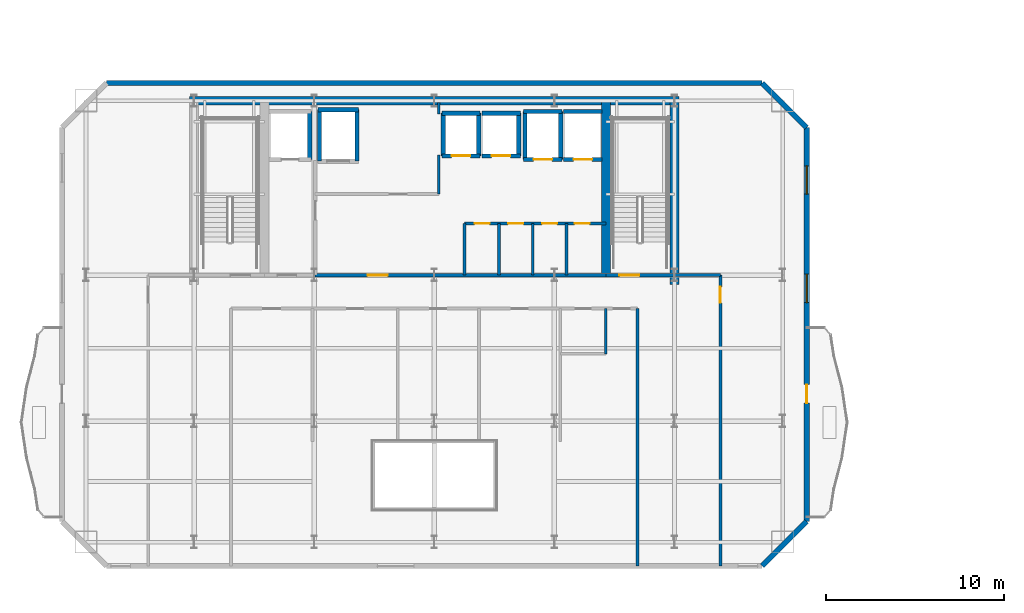
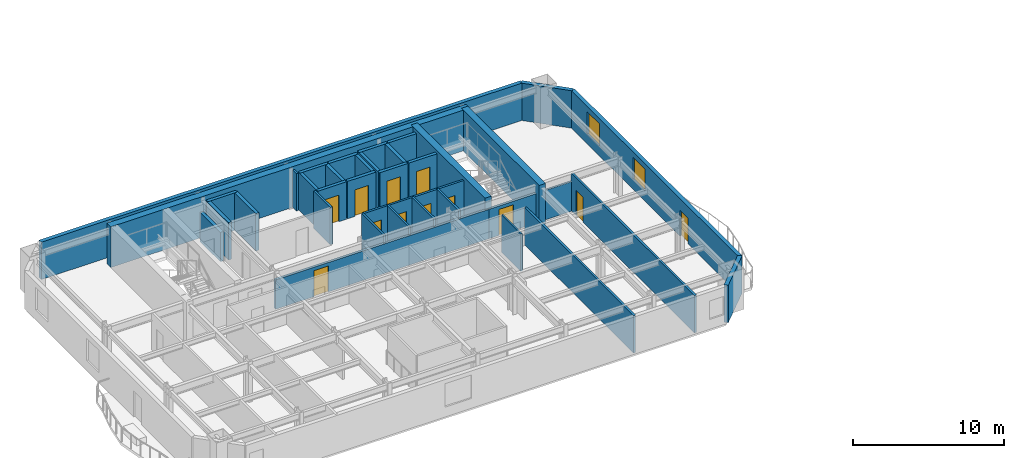
# One storey, part 6 of 14: 37 walls, 12 doors, 2 windows, 14 openings.
"""IFC4 building model written with IfcOpenShell, lengths in metres."""

from ifc_helpers import new_model, si_unit, direction, frame, frame_2d, origin, place, context, subcontext, project, spatial, rectangle, extrude, material, layer, layer_set, type_object, element, fill, save


model = new_model("IFC4")

# Units and contexts
model_context = context("Model", 3, precision=1e-05, world=origin(), true_north=direction((0.0, 1.0)))
body_context = subcontext(model_context, "Body", "Model", "MODEL_VIEW")
ifc_project = project(units=[si_unit("LENGTHUNIT", "METRE"), si_unit("AREAUNIT", "SQUARE_METRE"), si_unit("VOLUMEUNIT", "CUBIC_METRE"), si_unit("PLANEANGLEUNIT", "RADIAN"), si_unit("MASSUNIT", "GRAM", prefix="KILO")], contexts=[model_context])

# Site, building, storey
site_placement = place(None, origin())
site = spatial("IfcSite", under=ifc_project, at=site_placement, CompositionType="ELEMENT")
building_placement = place(site_placement, origin())
building = spatial("IfcBuilding", under=site, at=building_placement, Name="Haevon Station Towers", CompositionType="ELEMENT")
storey_placement = place(building_placement, frame((0.0, 0.0, 169.199951171875)))
storey = spatial("IfcBuildingStorey", under=building, at=storey_placement, Name="L46", CompositionType="ELEMENT", Elevation=169.199951171875)

# Wall, opening, door
ifc_material_1 = material(Name="Gypsum board on steel stud", Category="steel")
ifc_layer_1 = layer(ifc_material_1, 0.199951171875)
ifc_layer_set_1 = layer_set([ifc_layer_1], Name="Gypsum board on steel stud")
wall_type_1 = type_object("IfcWallType", Name="WL-COR200", PredefinedType="PARTITIONING", material=ifc_layer_set_1)
wall_1_placement = place(storey_placement, frame((47.14990234375, 38.199951171875, 0.0), z_axis=(0.0, 0.0, 1.0), x_axis=(1.0, 0.0, 0.0)))
wall_1 = element("IfcWall", 1, at=wall_1_placement, inside=storey, type_object=wall_type_1, Name="WL-ST-ST2-L46", PredefinedType="PARTITIONING", context=body_context, shape_type="SweptSolid", body=[
    extrude(rectangle(XDim=3.85009765625, YDim=0.199951171875, at=frame_2d((1.925048828125, 0.0))), origin(), (0.0, 0.0, 1.0), 2.380126953125),
])
opening_1_placement = place(wall_1_placement, frame((0.75, 0.0, 0.0)))
opening_1 = element("IfcOpeningElement", 2, at=opening_1_placement, cuts=wall_1, Name="Opening DR-ST-ST2-L46", PredefinedType="OPENING", context=body_context, shape_type="SweptSolid", body=[
    extrude(rectangle(XDim=1.1201171875, YDim=2.10009765625, at=frame_2d((0.56005859375, 1.050048828125))), frame((0.0, 0.10986328125, 0.0), z_axis=(0.0, -1.0, 0.0), x_axis=(1.0, 0.0, 0.0)), (0.0, 0.0, 1.0), 0.219970703125),
])
ifc_material_2 = material(Name="Engineered oak timber", Category="wood")
door_type_1 = type_object("IfcDoorType", Name="DR-ST-1120", OperationType="NOTDEFINED", PredefinedType="DOOR", material=ifc_material_2)
door_1_placement = place(opening_1_placement, origin())
door_1 = element("IfcDoor", 3, at=door_1_placement, inside=storey, type_object=door_type_1, Name="L46 Escape Stair ST2 Fire Door", OperationType="SINGLE_SWING_LEFT", OverallHeight=2.10009765625, OverallWidth=1.1201171875, PredefinedType="DOOR", context=body_context, shape_type="SweptSolid", body=[
    extrude(rectangle(XDim=1.1201171875, YDim=2.10009765625, at=frame_2d((0.56005859375, 1.050048828125))), frame((0.0, 0.02490234375, 0.0), z_axis=(0.0, -1.0, 0.0), x_axis=(1.0, 0.0, 0.0)), (0.0, 0.0, 1.0), 0.050048828125),
])
fill(opening_1, door_1)

wall_2_placement = place(storey_placement, frame((30.800048828125, 38.199951171875, 0.0), z_axis=(0.0, 0.0, 1.0), x_axis=(1.0, 0.0, 0.0)))
wall_2 = element("IfcWall", 4, at=wall_2_placement, inside=storey, type_object=wall_type_1, Name="WL-T1CLB-L46", PredefinedType="PARTITIONING", context=body_context, shape_type="SweptSolid", body=[
    extrude(rectangle(XDim=16.349853515625, YDim=0.199951171875, at=frame_2d((8.1748046875, 0.0))), origin(), (0.0, 0.0, 1.0), 2.380126953125),
])
opening_2_placement = place(wall_2_placement, frame((2.949951171875, 0.0, 0.0)))
opening_2 = element("IfcOpeningElement", 5, at=opening_2_placement, cuts=wall_2, Name="Opening DR-T1CLB-L46-1", PredefinedType="OPENING", context=body_context, shape_type="SweptSolid", body=[
    extrude(rectangle(XDim=1.1201171875, YDim=2.10009765625, at=frame_2d((0.56005859375, 1.050048828125))), frame((0.0, 0.10986328125, 0.0), z_axis=(0.0, -1.0, 0.0), x_axis=(1.0, 0.0, 0.0)), (0.0, 0.0, 1.0), 0.219970703125),
])
door_2_placement = place(opening_2_placement, origin())
door_2 = element("IfcDoor", 6, at=door_2_placement, inside=storey, type_object=door_type_1, Name="L46 Tower 1 Core Lift Lobby Door 1", OperationType="SINGLE_SWING_RIGHT", OverallHeight=2.10009765625, OverallWidth=1.1201171875, PredefinedType="DOOR", context=body_context, shape_type="SweptSolid", body=[
    extrude(rectangle(XDim=1.1201171875, YDim=2.10009765625, at=frame_2d((0.56005859375, 1.050048828125))), frame((0.0, 0.02490234375, 0.0), z_axis=(0.0, -1.0, 0.0), x_axis=(1.0, 0.0, 0.0)), (0.0, 0.0, 1.0), 0.050048828125),
])
fill(opening_2, door_2)

# Walls
ifc_material_3 = material(Name="Concrete C60/75", Category="concrete")
ifc_layer_2 = layer(ifc_material_3, 0.5)
ifc_layer_set_2 = layer_set([ifc_layer_2], Name="Concrete C60/75")
wall_type_2 = type_object("IfcWallType", Name="WL-CR500", PredefinedType="SHEAR", material=ifc_layer_set_2)
wall_3_placement = place(storey_placement, frame((23.75, 48.0, 0.0), z_axis=(0.0, 0.0, 1.0), x_axis=(1.0, 0.0, 0.0)))
element("IfcWall", 7, at=wall_3_placement, inside=storey, type_object=wall_type_2, Name="WL-T1CR-L46-N", PredefinedType="SHEAR", context=body_context, shape_type="SweptSolid", body=[
    extrude(rectangle(XDim=27.5, YDim=0.5, at=frame_2d((13.75, 0.0))), origin(), (0.0, 0.0, 1.0), 3.300048828125),
])
wall_4_placement = place(storey_placement, frame((51.0, 37.679931640625, 0.0), z_axis=(0.0, 0.0, 1.0), x_axis=(0.0, 1.0, 0.0)))
element("IfcWall", 8, at=wall_4_placement, inside=storey, type_object=wall_type_2, Name="WL-T1CR-L46-E", PredefinedType="SHEAR", context=body_context, shape_type="SweptSolid", body=[
    extrude(rectangle(XDim=10.320068359375, YDim=0.5, at=frame_2d((5.16015625, 0.0))), origin(), (0.0, 0.0, 1.0), 3.300048828125),
])
wall_5_placement = place(storey_placement, frame((47.14990234375, 38.199951171875, 0.0), z_axis=(0.0, 0.0, 1.0), x_axis=(0.0, 1.0, 0.0)))
element("IfcWall", 9, at=wall_5_placement, inside=storey, type_object=wall_type_2, Name="WL-T1CR-L46-M2", PredefinedType="SHEAR", context=body_context, shape_type="SweptSolid", body=[
    extrude(rectangle(XDim=9.800048828125, YDim=0.5, at=frame_2d((4.89990234375, 0.0))), origin(), (0.0, 0.0, 1.0), 3.300048828125),
])
ifc_material_4 = material(Name="Precast concrete C45/55", Category="concrete")
ifc_layer_3 = layer(ifc_material_4, 0.300048828125)
ifc_layer_set_3 = layer_set([ifc_layer_3], Name="Precast concrete C45/55")
wall_type_3 = type_object("IfcWallType", Name="WL-EXT-PIER300", PredefinedType="SOLIDWALL", material=ifc_layer_set_3)
wall_6_placement = place(storey_placement, frame((19.074951171875, 49.0, 0.0), z_axis=(0.0, 0.0, 1.0), x_axis=(1.0, 0.0, 0.0)))
element("IfcWall", 10, at=wall_6_placement, inside=storey, type_object=wall_type_3, Name="WL-T1-L46-N", PredefinedType="SOLIDWALL", context=body_context, shape_type="SweptSolid", body=[
    extrude(rectangle(XDim=36.85009765625, YDim=0.300048828125, at=frame_2d((18.425048828125, 0.0))), origin(), (0.0, 0.0, 1.0), 3.030029296875),
])
wall_7_placement = place(storey_placement, frame((55.925048828125, 49.0, 0.0), z_axis=(0.0, 0.0, 1.0), x_axis=(0.707106781187, -0.707106781187, 0.0)))
element("IfcWall", 11, at=wall_7_placement, inside=storey, type_object=wall_type_3, Name="WL-T1-L46-NEC", PredefinedType="SOLIDWALL", context=body_context, shape_type="SweptSolid", body=[
    extrude(rectangle(XDim=3.53564453125, YDim=0.300048828125, at=frame_2d((1.767822265625, 0.0))), origin(), (0.0, 0.0, 1.0), 3.030029296875),
])

# Wall, openings, door, windows
wall_8_placement = place(storey_placement, frame((58.425048828125, 46.5, 0.0), z_axis=(0.0, 0.0, 1.0), x_axis=(0.0, -1.0, 0.0)))
wall_8 = element("IfcWall", 12, at=wall_8_placement, inside=storey, type_object=wall_type_3, Name="WL-T1-L46-E", PredefinedType="SOLIDWALL", context=body_context, shape_type="SweptSolid", body=[
    extrude(rectangle(XDim=22.14990234375, YDim=0.300048828125, at=frame_2d((11.074951171875, 0.0))), origin(), (0.0, 0.0, 1.0), 3.030029296875),
])
opening_3_placement = place(wall_8_placement, frame((14.449951171875, 0.0, 0.0)))
opening_3 = element("IfcOpeningElement", 13, at=opening_3_placement, cuts=wall_8, Name="Opening DR-T1-SCAL-L46-E", PredefinedType="OPENING", context=body_context, shape_type="SweptSolid", body=[
    extrude(rectangle(XDim=1.050048828125, YDim=2.10009765625, at=frame_2d((0.52490234375, 1.050048828125))), frame((0.0, 0.159912109375, 0.0), z_axis=(0.0, -1.0, 0.0), x_axis=(1.0, 0.0, 0.0)), (0.0, 0.0, 1.0), 0.320068359375),
])
opening_4_placement = place(wall_8_placement, frame((2.153564453125, 0.0, 0.800048828125)))
opening_4 = element("IfcOpeningElement", 14, at=opening_4_placement, cuts=wall_8, Name="Opening WN-END160", PredefinedType="OPENING", context=body_context, shape_type="SweptSolid", body=[
    extrude(rectangle(XDim=1.60009765625, YDim=1.800048828125, at=frame_2d((0.800048828125, 0.89990234375))), frame((0.0, 0.159912109375, 0.0), z_axis=(0.0, -1.0, 0.0), x_axis=(1.0, 0.0, 0.0)), (0.0, 0.0, 1.0), 0.320068359375),
])
opening_5_placement = place(wall_8_placement, frame((8.24462890625, 0.0, 0.800048828125)))
opening_5 = element("IfcOpeningElement", 15, at=opening_5_placement, cuts=wall_8, Name="Opening WN-END160", PredefinedType="OPENING", context=body_context, shape_type="SweptSolid", body=[
    extrude(rectangle(XDim=1.60009765625, YDim=1.800048828125, at=frame_2d((0.800048828125, 0.89990234375))), frame((0.0, 0.159912109375, 0.0), z_axis=(0.0, -1.0, 0.0), x_axis=(1.0, 0.0, 0.0)), (0.0, 0.0, 1.0), 0.320068359375),
])
ifc_material_5 = material(Name="Thermally broken anodised aluminium and laminated safety glass", Category="aluminium")
door_type_2 = type_object("IfcDoorType", Name="DR-BALC-1050", OperationType="NOTDEFINED", PredefinedType="DOOR", material=ifc_material_5)
door_3_placement = place(opening_3_placement, origin())
door_3 = element("IfcDoor", 16, at=door_3_placement, inside=storey, type_object=door_type_2, Name="Tower 1 L46 East Scalloped Balcony Door", OperationType="SINGLE_SWING_LEFT", OverallHeight=2.10009765625, OverallWidth=1.050048828125, PredefinedType="DOOR", context=body_context, shape_type="SweptSolid", body=[
    extrude(rectangle(XDim=1.050048828125, YDim=2.10009765625, at=frame_2d((0.52490234375, 1.050048828125))), frame((0.0, 0.02490234375, 0.0), z_axis=(0.0, -1.0, 0.0), x_axis=(1.0, 0.0, 0.0)), (0.0, 0.0, 1.0), 0.050048828125),
])
fill(opening_3, door_3)
ifc_material_6 = material(Name="Low-E triple glazing in thermally broken aluminium", Category="aluminium")
window_type = type_object("IfcWindowType", Name="WN-END160", PartitioningType="SINGLE_PANEL", PredefinedType="WINDOW", material=ifc_material_6)
window_1_placement = place(opening_4_placement, origin())
window_1 = element("IfcWindow", 17, at=window_1_placement, inside=storey, type_object=window_type, Name="WN-T1-L46-E01", OverallHeight=1.800048828125, OverallWidth=1.60009765625, PartitioningType="SINGLE_PANEL", PredefinedType="WINDOW", context=body_context, shape_type="SweptSolid", body=[
    extrude(rectangle(XDim=1.60009765625, YDim=1.800048828125, at=frame_2d((0.800048828125, 0.89990234375))), frame((0.0, 0.030029296875, 0.0), z_axis=(0.0, -1.0, 0.0), x_axis=(1.0, 0.0, 0.0)), (0.0, 0.0, 1.0), 0.06005859375),
])
fill(opening_4, window_1)
window_2_placement = place(opening_5_placement, origin())
window_2 = element("IfcWindow", 18, at=window_2_placement, inside=storey, type_object=window_type, Name="WN-T1-L46-E02", OverallHeight=1.800048828125, OverallWidth=1.60009765625, PartitioningType="SINGLE_PANEL", PredefinedType="WINDOW", context=body_context, shape_type="SweptSolid", body=[
    extrude(rectangle(XDim=1.60009765625, YDim=1.800048828125, at=frame_2d((0.800048828125, 0.89990234375))), frame((0.0, 0.030029296875, 0.0), z_axis=(0.0, -1.0, 0.0), x_axis=(1.0, 0.0, 0.0)), (0.0, 0.0, 1.0), 0.06005859375),
])
fill(opening_5, window_2)

# Walls
wall_9_placement = place(storey_placement, frame((58.425048828125, 24.35009765625, 0.0), z_axis=(0.0, 0.0, 1.0), x_axis=(-0.707106781187, -0.707106781187, 0.0)))
element("IfcWall", 19, at=wall_9_placement, inside=storey, type_object=wall_type_3, Name="WL-T1-L46-SEC", PredefinedType="SOLIDWALL", context=body_context, shape_type="SweptSolid", body=[
    extrude(rectangle(XDim=3.53564453125, YDim=0.300048828125, at=frame_2d((1.767822265625, 0.0))), origin(), (0.0, 0.0, 1.0), 3.030029296875),
])
ifc_layer_4 = layer(ifc_material_1, 0.125)
ifc_layer_set_4 = layer_set([ifc_layer_4], Name="Gypsum board on steel stud")
wall_type_4 = type_object("IfcWallType", Name="WL-PRT125", PredefinedType="PARTITIONING", material=ifc_layer_set_4)
wall_10_placement = place(storey_placement, frame((47.139892578125, 33.77001953125, 0.0), z_axis=(0.0, 0.0, 1.0), x_axis=(0.0, 1.0, 0.0)))
element("IfcWall", 20, at=wall_10_placement, inside=storey, type_object=wall_type_4, Name="WL-T1PT-L46-19", PredefinedType="PARTITIONING", context=body_context, shape_type="SweptSolid", body=[
    extrude(rectangle(XDim=2.550048828125, YDim=0.125, at=frame_2d((1.27490234375, 0.0))), origin(), (0.0, 0.0, 1.0), 3.030029296875),
])
ifc_layer_5 = layer(ifc_material_1, 0.159912109375)
ifc_layer_set_5 = layer_set([ifc_layer_5], Name="Gypsum board on steel stud")
wall_type_5 = type_object("IfcWallType", Name="WL-PRT160", PredefinedType="PARTITIONING", material=ifc_layer_set_5)
wall_11_placement = place(storey_placement, frame((37.75, 42.75, 0.0), z_axis=(0.0, 0.0, 1.0), x_axis=(0.0, 1.0, 0.0)))
element("IfcWall", 21, at=wall_11_placement, inside=storey, type_object=wall_type_5, Name="WL-T1CW-L46-02", PredefinedType="PARTITIONING", context=body_context, shape_type="SweptSolid", body=[
    extrude(rectangle(XDim=2.199951171875, YDim=0.159912109375, at=frame_2d((1.10009765625, 0.0))), origin(), (0.0, 0.0, 1.0), 3.030029296875),
])
wall_12_placement = place(storey_placement, frame((37.75, 47.25, 0.0), z_axis=(0.0, 0.0, 1.0), x_axis=(0.0, 1.0, 0.0)))
element("IfcWall", 22, at=wall_12_placement, inside=storey, type_object=wall_type_5, Name="WL-T1CW-L46-03", PredefinedType="PARTITIONING", context=body_context, shape_type="SweptSolid", body=[
    extrude(rectangle(XDim=0.64990234375, YDim=0.159912109375, at=frame_2d((0.324951171875, 0.0))), origin(), (0.0, 0.0, 1.0), 3.030029296875),
])
for number, where, z_axis, x_axis, name in (
    (23, (39.199951171875, 38.199951171875, 0.0), (0.0, 0.0, 1.0), (0.0, 1.0, 0.0), "WL-T1CW-L46-04"),
    (24, (41.1298828125, 38.199951171875, 0.0), (0.0, 0.0, 1.0), (0.0, 1.0, 0.0), "WL-T1CW-L46-05"),
    (25, (43.030029296875, 38.199951171875, 0.0), (0.0, 0.0, 1.0), (0.0, 1.0, 0.0), "WL-T1CW-L46-06"),
    (26, (44.929931640625, 38.199951171875, 0.0), (0.0, 0.0, 1.0), (0.0, 1.0, 0.0), "WL-T1CW-L46-07"),
):
    element("IfcWall", number, at=place(storey_placement, frame(where, z_axis=z_axis, x_axis=x_axis)), inside=storey, type_object=wall_type_5, Name=name, PredefinedType="PARTITIONING", context=body_context, shape_type="SweptSolid", body=[
        extrude(rectangle(XDim=2.900146484375, YDim=0.159912109375, at=frame_2d((1.4501953125, 0.0))), origin(), (0.0, 0.0, 1.0), 3.030029296875),
    ])

# Wall, openings, doors
wall_13_placement = place(storey_placement, frame((39.199951171875, 41.10009765625, 0.0), z_axis=(0.0, 0.0, 1.0), x_axis=(1.0, 0.0, 0.0)))
wall_13 = element("IfcWall", 27, at=wall_13_placement, inside=storey, type_object=wall_type_5, Name="WL-T1CW-L46-08", PredefinedType="PARTITIONING", context=body_context, shape_type="SweptSolid", body=[
    extrude(rectangle(XDim=7.949951171875, YDim=0.159912109375, at=frame_2d((3.97509765625, 0.0))), origin(), (0.0, 0.0, 1.0), 3.030029296875),
])
opening_6_placement = place(wall_13_placement, frame((0.56005859375, 0.0, 0.0)))
opening_6 = element("IfcOpeningElement", 28, at=opening_6_placement, cuts=wall_13, Name="Opening DR-WL-T1CW-L46-08-1", PredefinedType="OPENING", context=body_context, shape_type="SweptSolid", body=[
    extrude(rectangle(XDim=0.85009765625, YDim=2.050048828125, at=frame_2d((0.425048828125, 1.02490234375))), frame((0.0, 0.08984375, 0.0), z_axis=(0.0, -1.0, 0.0), x_axis=(1.0, 0.0, 0.0)), (0.0, 0.0, 1.0), 0.179931640625),
])
opening_7_placement = place(wall_13_placement, frame((2.455078125, 0.0, 0.0)))
opening_7 = element("IfcOpeningElement", 29, at=opening_7_placement, cuts=wall_13, Name="Opening DR-WL-T1CW-L46-08-2", PredefinedType="OPENING", context=body_context, shape_type="SweptSolid", body=[
    extrude(rectangle(XDim=0.85009765625, YDim=2.050048828125, at=frame_2d((0.425048828125, 1.02490234375))), frame((0.0, 0.08984375, 0.0), z_axis=(0.0, -1.0, 0.0), x_axis=(1.0, 0.0, 0.0)), (0.0, 0.0, 1.0), 0.179931640625),
])
opening_8_placement = place(wall_13_placement, frame((4.35498046875, 0.0, 0.0)))
opening_8 = element("IfcOpeningElement", 30, at=opening_8_placement, cuts=wall_13, Name="Opening DR-WL-T1CW-L46-08-3", PredefinedType="OPENING", context=body_context, shape_type="SweptSolid", body=[
    extrude(rectangle(XDim=0.85009765625, YDim=2.050048828125, at=frame_2d((0.425048828125, 1.02490234375))), frame((0.0, 0.08984375, 0.0), z_axis=(0.0, -1.0, 0.0), x_axis=(1.0, 0.0, 0.0)), (0.0, 0.0, 1.0), 0.179931640625),
])
opening_9_placement = place(wall_13_placement, frame((6.179931640625, 0.0, 0.0)))
opening_9 = element("IfcOpeningElement", 31, at=opening_9_placement, cuts=wall_13, Name="Opening DR-WL-T1CW-L46-08-4", PredefinedType="OPENING", context=body_context, shape_type="SweptSolid", body=[
    extrude(rectangle(XDim=0.85009765625, YDim=2.050048828125, at=frame_2d((0.425048828125, 1.02490234375))), frame((0.0, 0.08984375, 0.0), z_axis=(0.0, -1.0, 0.0), x_axis=(1.0, 0.0, 0.0)), (0.0, 0.0, 1.0), 0.179931640625),
])
door_type_3 = type_object("IfcDoorType", Name="DR-FD30-850", OperationType="NOTDEFINED", PredefinedType="DOOR", material=ifc_material_2)
door_4_placement = place(opening_6_placement, origin())
door_4 = element("IfcDoor", 32, at=door_4_placement, inside=storey, type_object=door_type_3, Name="L46 Tower 1 Core Room Door 8-1", OperationType="SINGLE_SWING_RIGHT", OverallHeight=2.050048828125, OverallWidth=0.85009765625, PredefinedType="DOOR", context=body_context, shape_type="SweptSolid", body=[
    extrude(rectangle(XDim=0.85009765625, YDim=2.050048828125, at=frame_2d((0.425048828125, 1.02490234375))), frame((0.0, 0.02490234375, 0.0), z_axis=(0.0, -1.0, 0.0), x_axis=(1.0, 0.0, 0.0)), (0.0, 0.0, 1.0), 0.050048828125),
])
fill(opening_6, door_4)
door_5_placement = place(opening_7_placement, origin())
door_5 = element("IfcDoor", 33, at=door_5_placement, inside=storey, type_object=door_type_3, Name="L46 Tower 1 Core Room Door 8-2", OperationType="SINGLE_SWING_LEFT", OverallHeight=2.050048828125, OverallWidth=0.85009765625, PredefinedType="DOOR", context=body_context, shape_type="SweptSolid", body=[
    extrude(rectangle(XDim=0.85009765625, YDim=2.050048828125, at=frame_2d((0.425048828125, 1.02490234375))), frame((0.0, 0.02490234375, 0.0), z_axis=(0.0, -1.0, 0.0), x_axis=(1.0, 0.0, 0.0)), (0.0, 0.0, 1.0), 0.050048828125),
])
fill(opening_7, door_5)
door_6_placement = place(opening_8_placement, origin())
door_6 = element("IfcDoor", 34, at=door_6_placement, inside=storey, type_object=door_type_3, Name="L46 Tower 1 Core Room Door 8-3", OperationType="SINGLE_SWING_RIGHT", OverallHeight=2.050048828125, OverallWidth=0.85009765625, PredefinedType="DOOR", context=body_context, shape_type="SweptSolid", body=[
    extrude(rectangle(XDim=0.85009765625, YDim=2.050048828125, at=frame_2d((0.425048828125, 1.02490234375))), frame((0.0, 0.02490234375, 0.0), z_axis=(0.0, -1.0, 0.0), x_axis=(1.0, 0.0, 0.0)), (0.0, 0.0, 1.0), 0.050048828125),
])
fill(opening_8, door_6)
door_7_placement = place(opening_9_placement, origin())
door_7 = element("IfcDoor", 35, at=door_7_placement, inside=storey, type_object=door_type_3, Name="L46 Tower 1 Core Room Door 8-4", OperationType="SINGLE_SWING_LEFT", OverallHeight=2.050048828125, OverallWidth=0.85009765625, PredefinedType="DOOR", context=body_context, shape_type="SweptSolid", body=[
    extrude(rectangle(XDim=0.85009765625, YDim=2.050048828125, at=frame_2d((0.425048828125, 1.02490234375))), frame((0.0, 0.02490234375, 0.0), z_axis=(0.0, -1.0, 0.0), x_axis=(1.0, 0.0, 0.0)), (0.0, 0.0, 1.0), 0.050048828125),
])
fill(opening_9, door_7)

# Walls
wall_14_placement = place(storey_placement, frame((48.919921875, 21.85009765625, 0.0), z_axis=(0.0, 0.0, 1.0), x_axis=(0.0, 1.0, 0.0)))
element("IfcWall", 36, at=wall_14_placement, inside=storey, type_object=wall_type_5, Name="WL-T1PT-L46-02", PredefinedType="PARTITIONING", context=body_context, shape_type="SweptSolid", body=[
    extrude(rectangle(XDim=14.469970703125, YDim=0.159912109375, at=frame_2d((7.23486328125, 0.0))), origin(), (0.0, 0.0, 1.0), 3.030029296875),
])
wall_15_placement = place(storey_placement, frame((51.0, 38.199951171875, 0.0), z_axis=(0.0, 0.0, 1.0), x_axis=(1.0, 0.0, 0.0)))
element("IfcWall", 37, at=wall_15_placement, inside=storey, type_object=wall_type_5, Name="WL-T1PT-L46-04", PredefinedType="PARTITIONING", context=body_context, shape_type="SweptSolid", body=[
    extrude(rectangle(XDim=2.574951171875, YDim=0.159912109375, at=frame_2d((1.28759765625, 0.0))), origin(), (0.0, 0.0, 1.0), 2.380126953125),
])

# Wall, opening, door
wall_16_placement = place(storey_placement, frame((53.574951171875, 21.85009765625, 0.0), z_axis=(0.0, 0.0, 1.0), x_axis=(0.0, 1.0, 0.0)))
wall_16 = element("IfcWall", 38, at=wall_16_placement, inside=storey, type_object=wall_type_5, Name="WL-T1PT-L46-06", PredefinedType="PARTITIONING", context=body_context, shape_type="SweptSolid", body=[
    extrude(rectangle(XDim=16.349853515625, YDim=0.159912109375, at=frame_2d((8.1748046875, 0.0))), origin(), (0.0, 0.0, 1.0), 3.030029296875),
])
opening_10_placement = place(wall_16_placement, frame((14.7900390625, 0.0, 0.0)))
opening_10 = element("IfcOpeningElement", 39, at=opening_10_placement, cuts=wall_16, Name="Opening DR-WL-T1PT-L46-06-01", PredefinedType="OPENING", context=body_context, shape_type="SweptSolid", body=[
    extrude(rectangle(XDim=0.89990234375, YDim=2.050048828125, at=frame_2d((0.449951171875, 1.02490234375))), frame((0.0, 0.08984375, 0.0), z_axis=(0.0, -1.0, 0.0), x_axis=(1.0, 0.0, 0.0)), (0.0, 0.0, 1.0), 0.179931640625),
])
door_type_4 = type_object("IfcDoorType", Name="DR-INT-900", OperationType="NOTDEFINED", PredefinedType="DOOR", material=ifc_material_2)
door_8_placement = place(opening_10_placement, origin())
door_8 = element("IfcDoor", 40, at=door_8_placement, inside=storey, type_object=door_type_4, Name="L46 Tower 1 Room Door 6-1", OperationType="SINGLE_SWING_LEFT", OverallHeight=2.050048828125, OverallWidth=0.89990234375, PredefinedType="DOOR", context=body_context, shape_type="SweptSolid", body=[
    extrude(rectangle(XDim=0.89990234375, YDim=2.050048828125, at=frame_2d((0.449951171875, 1.02490234375))), frame((0.0, 0.02490234375, 0.0), z_axis=(0.0, -1.0, 0.0), x_axis=(1.0, 0.0, 0.0)), (0.0, 0.0, 1.0), 0.050048828125),
])
fill(opening_10, door_8)

# Walls
ifc_material_7 = material(Name="Concrete C40/50", Category="concrete")
ifc_layer_6 = layer(ifc_material_7, 0.239990234375)
ifc_layer_set_6 = layer_set([ifc_layer_6], Name="Concrete C40/50")
wall_type_6 = type_object("IfcWallType", Name="WL-SHF240", PredefinedType="PARTITIONING", material=ifc_layer_set_6)
wall_17_placement = place(storey_placement, frame((30.5, 44.699951171875, 0.0), z_axis=(0.0, 0.0, 1.0), x_axis=(0.0, 1.0, 0.0)))
element("IfcWall", 41, at=wall_17_placement, inside=storey, type_object=wall_type_6, Name="WL-SHF-FL1-L46-E", PredefinedType="PARTITIONING", context=body_context, shape_type="SweptSolid", body=[
    extrude(rectangle(XDim=2.699951171875, YDim=0.239990234375, at=frame_2d((1.35009765625, 0.0))), origin(), (0.0, 0.0, 1.0), 2.380126953125),
])
wall_18_placement = place(storey_placement, frame((30.969970703125, 47.5, 0.0), z_axis=(0.0, 0.0, 1.0), x_axis=(1.0, 0.0, 0.0)))
element("IfcWall", 42, at=wall_18_placement, inside=storey, type_object=wall_type_6, Name="WL-SHF-SL1-L46-N", PredefinedType="PARTITIONING", context=body_context, shape_type="SweptSolid", body=[
    extrude(rectangle(XDim=2.260009765625, YDim=0.239990234375, at=frame_2d((1.1298828125, 0.0))), origin(), (0.0, 0.0, 1.0), 3.030029296875),
])
for number, where, z_axis, x_axis, name in (
    (43, (31.050048828125, 44.60009765625, 0.0), (0.0, 0.0, 1.0), (0.0, 1.0, 0.0), "WL-SHF-SL1-L46-W"),
    (44, (33.14990234375, 44.60009765625, 0.0), (0.0, 0.0, 1.0), (0.0, 1.0, 0.0), "WL-SHF-SL1-L46-E"),
):
    element("IfcWall", number, at=place(storey_placement, frame(where, z_axis=z_axis, x_axis=x_axis)), inside=storey, type_object=wall_type_6, Name=name, PredefinedType="PARTITIONING", context=body_context, shape_type="SweptSolid", body=[
        extrude(rectangle(XDim=2.89990234375, YDim=0.239990234375, at=frame_2d((1.449951171875, 0.0))), origin(), (0.0, 0.0, 1.0), 3.030029296875),
    ])

# Wall, opening, door
wall_19_placement = place(storey_placement, frame((37.919921875, 44.89990234375, 0.0), z_axis=(0.0, 0.0, 1.0), x_axis=(1.0, 0.0, 0.0)))
wall_19 = element("IfcWall", 45, at=wall_19_placement, inside=storey, type_object=wall_type_6, Name="WL-SHF-PL3-L46", PredefinedType="PARTITIONING", context=body_context, shape_type="SweptSolid", body=[
    extrude(rectangle(XDim=2.16015625, YDim=0.239990234375, at=frame_2d((1.080078125, 0.0))), origin(), (0.0, 0.0, 1.0), 3.030029296875),
])
opening_11_placement = place(wall_19_placement, frame((0.554931640625, 0.0, 0.0)))
opening_11 = element("IfcOpeningElement", 46, at=opening_11_placement, cuts=wall_19, Name="Opening LD-PL3-L46", PredefinedType="OPENING", context=body_context, shape_type="SweptSolid", body=[
    extrude(rectangle(XDim=1.050048828125, YDim=2.14990234375, at=frame_2d((0.52490234375, 1.074951171875))), frame((0.0, 0.1298828125, 0.0), z_axis=(0.0, -1.0, 0.0), x_axis=(1.0, 0.0, 0.0)), (0.0, 0.0, 1.0), 0.260009765625),
])
ifc_material_8 = material(Name="Stainless steel and rated core", Category="steel")
door_type_5 = type_object("IfcDoorType", Name="LD-PL1050", OperationType="SLIDING_TO_LEFT", PredefinedType="DOOR", material=ifc_material_8)
door_9_placement = place(opening_11_placement, origin())
door_9 = element("IfcDoor", 47, at=door_9_placement, inside=storey, type_object=door_type_5, Name="L46 Lift PL3 Sliding Landing Door", OperationType="SLIDING_TO_LEFT", OverallHeight=2.14990234375, OverallWidth=1.050048828125, PredefinedType="DOOR", context=body_context, shape_type="SweptSolid", body=[
    extrude(rectangle(XDim=1.050048828125, YDim=2.14990234375, at=frame_2d((0.52490234375, 1.074951171875))), frame((0.0, 0.02490234375, 0.0), z_axis=(0.0, -1.0, 0.0), x_axis=(1.0, 0.0, 0.0)), (0.0, 0.0, 1.0), 0.050048828125),
])
fill(opening_11, door_9)

# Walls
wall_20_placement = place(storey_placement, frame((37.919921875, 47.300048828125, 0.0), z_axis=(0.0, 0.0, 1.0), x_axis=(1.0, 0.0, 0.0)))
element("IfcWall", 48, at=wall_20_placement, inside=storey, type_object=wall_type_6, Name="WL-SHF-PL3-L46-N", PredefinedType="PARTITIONING", context=body_context, shape_type="SweptSolid", body=[
    extrude(rectangle(XDim=2.16015625, YDim=0.239990234375, at=frame_2d((1.080078125, 0.0))), origin(), (0.0, 0.0, 1.0), 3.030029296875),
])
for number, where, z_axis, x_axis, name in (
    (49, (38.0, 44.89990234375, 0.0), (0.0, 0.0, 1.0), (0.0, 1.0, 0.0), "WL-SHF-PL3-L46-W"),
    (50, (40.0, 44.89990234375, 0.0), (0.0, 0.0, 1.0), (0.0, 1.0, 0.0), "WL-SHF-PL3-L46-E"),
):
    element("IfcWall", number, at=place(storey_placement, frame(where, z_axis=z_axis, x_axis=x_axis)), inside=storey, type_object=wall_type_6, Name=name, PredefinedType="PARTITIONING", context=body_context, shape_type="SweptSolid", body=[
        extrude(rectangle(XDim=2.400146484375, YDim=0.239990234375, at=frame_2d((1.2001953125, 0.0))), origin(), (0.0, 0.0, 1.0), 3.030029296875),
    ])

# Wall, opening, door
wall_21_placement = place(storey_placement, frame((40.169921875, 44.89990234375, 0.0), z_axis=(0.0, 0.0, 1.0), x_axis=(1.0, 0.0, 0.0)))
wall_21 = element("IfcWall", 51, at=wall_21_placement, inside=storey, type_object=wall_type_6, Name="WL-SHF-PL4-L46", PredefinedType="PARTITIONING", context=body_context, shape_type="SweptSolid", body=[
    extrude(rectangle(XDim=2.16015625, YDim=0.239990234375, at=frame_2d((1.080078125, 0.0))), origin(), (0.0, 0.0, 1.0), 3.030029296875),
])
opening_12_placement = place(wall_21_placement, frame((0.554931640625, 0.0, 0.0)))
opening_12 = element("IfcOpeningElement", 52, at=opening_12_placement, cuts=wall_21, Name="Opening LD-PL4-L46", PredefinedType="OPENING", context=body_context, shape_type="SweptSolid", body=[
    extrude(rectangle(XDim=1.050048828125, YDim=2.14990234375, at=frame_2d((0.52490234375, 1.074951171875))), frame((0.0, 0.1298828125, 0.0), z_axis=(0.0, -1.0, 0.0), x_axis=(1.0, 0.0, 0.0)), (0.0, 0.0, 1.0), 0.260009765625),
])
door_10_placement = place(opening_12_placement, origin())
door_10 = element("IfcDoor", 53, at=door_10_placement, inside=storey, type_object=door_type_5, Name="L46 Lift PL4 Sliding Landing Door", OperationType="SLIDING_TO_LEFT", OverallHeight=2.14990234375, OverallWidth=1.050048828125, PredefinedType="DOOR", context=body_context, shape_type="SweptSolid", body=[
    extrude(rectangle(XDim=1.050048828125, YDim=2.14990234375, at=frame_2d((0.52490234375, 1.074951171875))), frame((0.0, 0.02490234375, 0.0), z_axis=(0.0, -1.0, 0.0), x_axis=(1.0, 0.0, 0.0)), (0.0, 0.0, 1.0), 0.050048828125),
])
fill(opening_12, door_10)

# Walls
wall_22_placement = place(storey_placement, frame((40.169921875, 47.300048828125, 0.0), z_axis=(0.0, 0.0, 1.0), x_axis=(1.0, 0.0, 0.0)))
element("IfcWall", 54, at=wall_22_placement, inside=storey, type_object=wall_type_6, Name="WL-SHF-PL4-L46-N", PredefinedType="PARTITIONING", context=body_context, shape_type="SweptSolid", body=[
    extrude(rectangle(XDim=2.16015625, YDim=0.239990234375, at=frame_2d((1.080078125, 0.0))), origin(), (0.0, 0.0, 1.0), 3.030029296875),
])
wall_23_placement = place(storey_placement, frame((42.25, 44.89990234375, 0.0), z_axis=(0.0, 0.0, 1.0), x_axis=(0.0, 1.0, 0.0)))
element("IfcWall", 55, at=wall_23_placement, inside=storey, type_object=wall_type_6, Name="WL-SHF-PL4-L46-E", PredefinedType="PARTITIONING", context=body_context, shape_type="SweptSolid", body=[
    extrude(rectangle(XDim=2.400146484375, YDim=0.239990234375, at=frame_2d((1.2001953125, 0.0))), origin(), (0.0, 0.0, 1.0), 3.030029296875),
])

# Wall, opening, door
wall_24_placement = place(storey_placement, frame((42.52001953125, 44.699951171875, 0.0), z_axis=(0.0, 0.0, 1.0), x_axis=(1.0, 0.0, 0.0)))
wall_24 = element("IfcWall", 56, at=wall_24_placement, inside=storey, type_object=wall_type_6, Name="WL-SHF-PL5-L46", PredefinedType="PARTITIONING", context=body_context, shape_type="SweptSolid", body=[
    extrude(rectangle(XDim=2.159912109375, YDim=0.239990234375, at=frame_2d((1.080078125, 0.0))), origin(), (0.0, 0.0, 1.0), 3.030029296875),
])
opening_13_placement = place(wall_24_placement, frame((0.554931640625, 0.0, 0.0)))
opening_13 = element("IfcOpeningElement", 57, at=opening_13_placement, cuts=wall_24, Name="Opening LD-PL5-L46", PredefinedType="OPENING", context=body_context, shape_type="SweptSolid", body=[
    extrude(rectangle(XDim=1.050048828125, YDim=2.14990234375, at=frame_2d((0.52490234375, 1.074951171875))), frame((0.0, 0.1298828125, 0.0), z_axis=(0.0, -1.0, 0.0), x_axis=(1.0, 0.0, 0.0)), (0.0, 0.0, 1.0), 0.260009765625),
])
door_11_placement = place(opening_13_placement, origin())
door_11 = element("IfcDoor", 58, at=door_11_placement, inside=storey, type_object=door_type_5, Name="L46 Lift PL5 Sliding Landing Door", OperationType="SLIDING_TO_LEFT", OverallHeight=2.14990234375, OverallWidth=1.050048828125, PredefinedType="DOOR", context=body_context, shape_type="SweptSolid", body=[
    extrude(rectangle(XDim=1.050048828125, YDim=2.14990234375, at=frame_2d((0.52490234375, 1.074951171875))), frame((0.0, 0.02490234375, 0.0), z_axis=(0.0, -1.0, 0.0), x_axis=(1.0, 0.0, 0.0)), (0.0, 0.0, 1.0), 0.050048828125),
])
fill(opening_13, door_11)

# Walls
wall_25_placement = place(storey_placement, frame((42.52001953125, 47.39990234375, 0.0), z_axis=(0.0, 0.0, 1.0), x_axis=(1.0, 0.0, 0.0)))
element("IfcWall", 59, at=wall_25_placement, inside=storey, type_object=wall_type_6, Name="WL-SHF-PL5-L46-N", PredefinedType="PARTITIONING", context=body_context, shape_type="SweptSolid", body=[
    extrude(rectangle(XDim=2.159912109375, YDim=0.239990234375, at=frame_2d((1.080078125, 0.0))), origin(), (0.0, 0.0, 1.0), 3.030029296875),
])
for number, where, z_axis, x_axis, name in (
    (60, (42.60009765625, 44.699951171875, 0.0), (0.0, 0.0, 1.0), (0.0, 1.0, 0.0), "WL-SHF-PL5-L46-W"),
    (61, (44.60009765625, 44.699951171875, 0.0), (0.0, 0.0, 1.0), (0.0, 1.0, 0.0), "WL-SHF-PL5-L46-E"),
):
    element("IfcWall", number, at=place(storey_placement, frame(where, z_axis=z_axis, x_axis=x_axis)), inside=storey, type_object=wall_type_6, Name=name, PredefinedType="PARTITIONING", context=body_context, shape_type="SweptSolid", body=[
        extrude(rectangle(XDim=2.699951171875, YDim=0.239990234375, at=frame_2d((1.35009765625, 0.0))), origin(), (0.0, 0.0, 1.0), 3.030029296875),
    ])

# Wall, opening, door
wall_26_placement = place(storey_placement, frame((44.77001953125, 44.699951171875, 0.0), z_axis=(0.0, 0.0, 1.0), x_axis=(1.0, 0.0, 0.0)))
wall_26 = element("IfcWall", 62, at=wall_26_placement, inside=storey, type_object=wall_type_6, Name="WL-SHF-PL6-L46", PredefinedType="PARTITIONING", context=body_context, shape_type="SweptSolid", body=[
    extrude(rectangle(XDim=2.159912109375, YDim=0.239990234375, at=frame_2d((1.080078125, 0.0))), origin(), (0.0, 0.0, 1.0), 3.030029296875),
])
opening_14_placement = place(wall_26_placement, frame((0.554931640625, 0.0, 0.0)))
opening_14 = element("IfcOpeningElement", 63, at=opening_14_placement, cuts=wall_26, Name="Opening LD-PL6-L46", PredefinedType="OPENING", context=body_context, shape_type="SweptSolid", body=[
    extrude(rectangle(XDim=1.050048828125, YDim=2.14990234375, at=frame_2d((0.52490234375, 1.074951171875))), frame((0.0, 0.1298828125, 0.0), z_axis=(0.0, -1.0, 0.0), x_axis=(1.0, 0.0, 0.0)), (0.0, 0.0, 1.0), 0.260009765625),
])
door_12_placement = place(opening_14_placement, origin())
door_12 = element("IfcDoor", 64, at=door_12_placement, inside=storey, type_object=door_type_5, Name="L46 Lift PL6 Sliding Landing Door", OperationType="SLIDING_TO_LEFT", OverallHeight=2.14990234375, OverallWidth=1.050048828125, PredefinedType="DOOR", context=body_context, shape_type="SweptSolid", body=[
    extrude(rectangle(XDim=1.050048828125, YDim=2.14990234375, at=frame_2d((0.52490234375, 1.074951171875))), frame((0.0, 0.02490234375, 0.0), z_axis=(0.0, -1.0, 0.0), x_axis=(1.0, 0.0, 0.0)), (0.0, 0.0, 1.0), 0.050048828125),
])
fill(opening_14, door_12)

# Wall
wall_27_placement = place(storey_placement, frame((44.77001953125, 47.39990234375, 0.0), z_axis=(0.0, 0.0, 1.0), x_axis=(1.0, 0.0, 0.0)))
element("IfcWall", 65, at=wall_27_placement, inside=storey, type_object=wall_type_6, Name="WL-SHF-PL6-L46-N", PredefinedType="PARTITIONING", context=body_context, shape_type="SweptSolid", body=[
    extrude(rectangle(XDim=2.159912109375, YDim=0.239990234375, at=frame_2d((1.080078125, 0.0))), origin(), (0.0, 0.0, 1.0), 3.030029296875),
])

save(model, "model.ifc")
